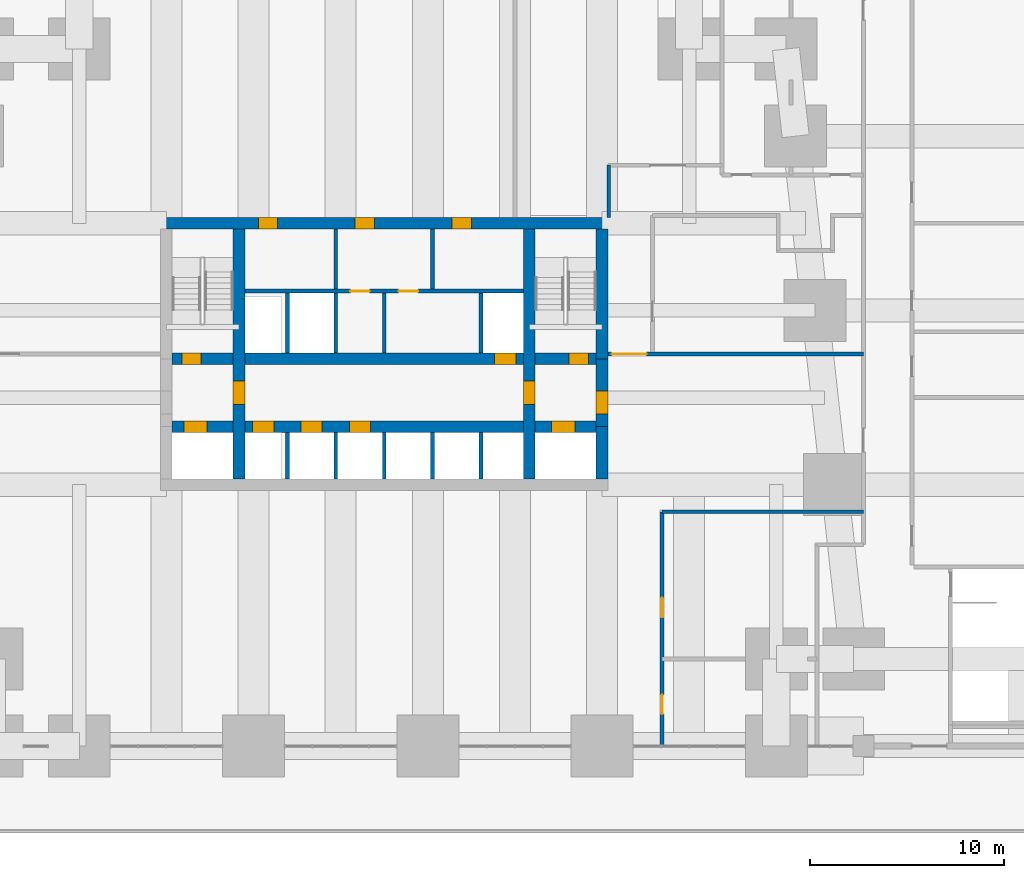
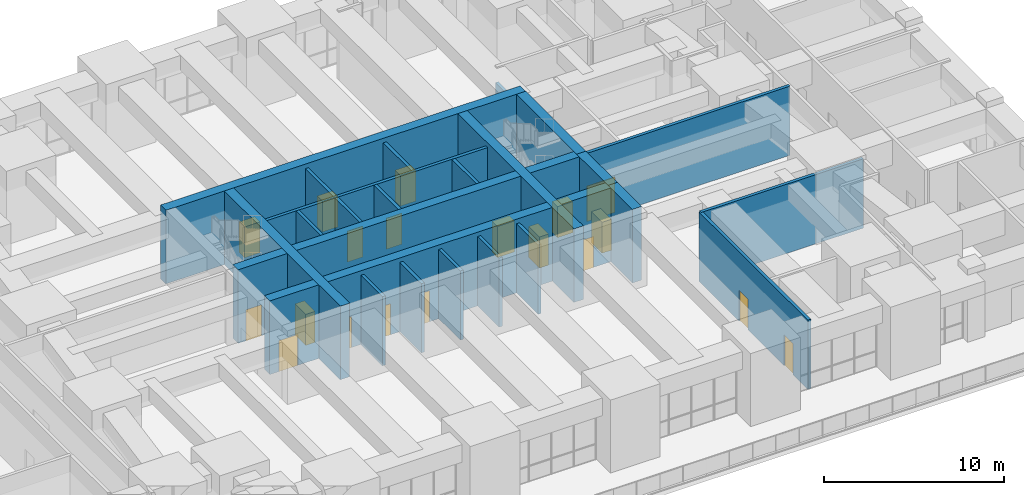
# One storey, part 18 of 22: 24 walls, 19 doors, 19 openings.
"""IFC4 building model written with IfcOpenShell, lengths in metres."""

from ifc_helpers import new_model, si_unit, direction, frame, frame_2d, origin, place, context, subcontext, project, spatial, rectangle, extrude, material, layer, layer_set, type_object, element, fill, save


model = new_model("IFC4")

# Units and contexts
model_context = context("Model", 3, precision=1e-05, world=origin(), true_north=direction((0.0, 1.0)))
body_context = subcontext(model_context, "Body", "Model", "MODEL_VIEW")
ifc_project = project(units=[si_unit("LENGTHUNIT", "METRE"), si_unit("AREAUNIT", "SQUARE_METRE"), si_unit("VOLUMEUNIT", "CUBIC_METRE"), si_unit("PLANEANGLEUNIT", "RADIAN"), si_unit("MASSUNIT", "GRAM", prefix="KILO")], contexts=[model_context])

# Site, building, storey
site_placement = place(None, origin())
site = spatial("IfcSite", under=ifc_project, at=site_placement, CompositionType="ELEMENT")
building_placement = place(site_placement, origin())
building = spatial("IfcBuilding", under=site, at=building_placement, Name="Kilele Tower Hotel", CompositionType="ELEMENT")
storey_placement = place(building_placement, frame((0.0, 0.0, 19.0)))
storey = spatial("IfcBuildingStorey", under=building, at=storey_placement, Name="L03", CompositionType="ELEMENT", Elevation=19.0)

# Wall, openings, doors
ifc_material_1 = material(Name="Concrete C60/75", Category="concrete")
ifc_layer_1 = layer(ifc_material_1, 0.60009765625)
ifc_layer_set_1 = layer_set([ifc_layer_1], Name="Concrete C60/75")
wall_type_1 = type_object("IfcWallType", Name="Core wall 600 C60/75", PredefinedType="SHEAR", material=ifc_layer_set_1)
wall_1_placement = place(storey_placement, frame((36.300048828125, 27.0, 0.0), z_axis=(0.0, 0.0, 1.0), x_axis=(-1.0, 0.0, 0.0)))
wall_1 = element("IfcWall", 1, at=wall_1_placement, inside=storey, type_object=wall_type_1, Name="Core wall N L03", PredefinedType="SHEAR", context=body_context, shape_type="SweptSolid", body=[
    extrude(rectangle(XDim=23.10009765625, YDim=0.60009765625, at=frame_2d((11.550048828125, 0.0))), origin(), (0.0, 0.0, 1.0), 5.0),
])
opening_1_placement = place(wall_1_placement, frame((17.050048828125, 0.0, 0.0)))
opening_1 = element("IfcOpeningElement", 2, at=opening_1_placement, cuts=wall_1, Name="Opening D6", PredefinedType="OPENING", context=body_context, shape_type="SweptSolid", body=[
    extrude(rectangle(XDim=1.0, YDim=2.10009765625, at=frame_2d((0.5, 1.050048828125))), frame((0.0, 0.31005859375, 0.0), z_axis=(0.0, -1.0, 0.0), x_axis=(1.0, 0.0, 0.0)), (0.0, 0.0, 1.0), 0.6201171875),
])
opening_2_placement = place(wall_1_placement, frame((12.050048828125, 0.0, 0.0)))
opening_2 = element("IfcOpeningElement", 3, at=opening_2_placement, cuts=wall_1, Name="Opening D6", PredefinedType="OPENING", context=body_context, shape_type="SweptSolid", body=[
    extrude(rectangle(XDim=1.0, YDim=2.10009765625, at=frame_2d((0.5, 1.050048828125))), frame((0.0, 0.31005859375, 0.0), z_axis=(0.0, -1.0, 0.0), x_axis=(1.0, 0.0, 0.0)), (0.0, 0.0, 1.0), 0.6201171875),
])
opening_3_placement = place(wall_1_placement, frame((7.050048828125, 0.0, 0.0)))
opening_3 = element("IfcOpeningElement", 4, at=opening_3_placement, cuts=wall_1, Name="Opening D6", PredefinedType="OPENING", context=body_context, shape_type="SweptSolid", body=[
    extrude(rectangle(XDim=1.0, YDim=2.10009765625, at=frame_2d((0.5, 1.050048828125))), frame((0.0, 0.31005859375, 0.0), z_axis=(0.0, -1.0, 0.0), x_axis=(1.0, 0.0, 0.0)), (0.0, 0.0, 1.0), 0.6201171875),
])
ifc_material_2 = material(Name="Timber door leaf in hardwood frame", Category="wood")
door_type_1 = type_object("IfcDoorType", Name="Riser door 1000", OperationType="SINGLE_SWING_LEFT", PredefinedType="DOOR", material=ifc_material_2)
door_1_placement = place(opening_1_placement, origin())
door_1 = element("IfcDoor", 5, at=door_1_placement, inside=storey, type_object=door_type_1, Name="Service riser door L03", OperationType="SINGLE_SWING_RIGHT", OverallHeight=2.10009765625, OverallWidth=1.0, PredefinedType="DOOR", context=body_context, shape_type="SweptSolid", body=[
    extrude(rectangle(XDim=1.0, YDim=2.10009765625, at=frame_2d((0.5, 1.050048828125))), frame((0.0, 0.2998046875, 0.0), z_axis=(0.0, -1.0, 0.0), x_axis=(1.0, 0.0, 0.0)), (0.0, 0.0, 1.0), 0.599609375),
])
fill(opening_1, door_1)
door_2_placement = place(opening_2_placement, origin())
door_2 = element("IfcDoor", 6, at=door_2_placement, inside=storey, type_object=door_type_1, Name="Housekeeping store door L03", OperationType="SINGLE_SWING_RIGHT", OverallHeight=2.10009765625, OverallWidth=1.0, PredefinedType="DOOR", context=body_context, shape_type="SweptSolid", body=[
    extrude(rectangle(XDim=1.0, YDim=2.10009765625, at=frame_2d((0.5, 1.050048828125))), frame((0.0, 0.2998046875, 0.0), z_axis=(0.0, -1.0, 0.0), x_axis=(1.0, 0.0, 0.0)), (0.0, 0.0, 1.0), 0.599609375),
])
fill(opening_2, door_2)
door_3_placement = place(opening_3_placement, origin())
door_3 = element("IfcDoor", 7, at=door_3_placement, inside=storey, type_object=door_type_1, Name="Electrical riser door L03", OperationType="SINGLE_SWING_RIGHT", OverallHeight=2.10009765625, OverallWidth=1.0, PredefinedType="DOOR", context=body_context, shape_type="SweptSolid", body=[
    extrude(rectangle(XDim=1.0, YDim=2.10009765625, at=frame_2d((0.5, 1.050048828125))), frame((0.0, 0.2998046875, 0.0), z_axis=(0.0, -1.0, 0.0), x_axis=(1.0, 0.0, 0.0)), (0.0, 0.0, 1.0), 0.599609375),
])
fill(opening_3, door_3)

# Wall, opening, door
wall_2_placement = place(storey_placement, frame((17.25, 13.800048828125, 0.0), z_axis=(0.0, 0.0, 1.0), x_axis=(0.0, 1.0, 0.0)))
wall_2 = element("IfcWall", 8, at=wall_2_placement, inside=storey, type_object=wall_type_1, Name="Core wall IW L03", PredefinedType="SHEAR", context=body_context, shape_type="SweptSolid", body=[
    extrude(rectangle(XDim=12.89990234375, YDim=0.60009765625, at=frame_2d((6.449951171875, 0.0))), origin(), (0.0, 0.0, 1.0), 5.0),
])
opening_4_placement = place(wall_2_placement, frame((3.85009765625, 0.0, 0.0)))
opening_4 = element("IfcOpeningElement", 9, at=opening_4_placement, cuts=wall_2, Name="Opening D4", PredefinedType="OPENING", context=body_context, shape_type="SweptSolid", body=[
    extrude(rectangle(XDim=1.199951171875, YDim=2.10009765625, at=frame_2d((0.60009765625, 1.050048828125))), frame((0.0, 0.31005859375, 0.0), z_axis=(0.0, -1.0, 0.0), x_axis=(1.0, 0.0, 0.0)), (0.0, 0.0, 1.0), 0.6201171875),
])
ifc_material_3 = material(Name="Timber door leaf in hardwood frame", Category="wood")
door_type_2 = type_object("IfcDoorType", Name="Firefighting lobby door 1200", OperationType="SINGLE_SWING_LEFT", PredefinedType="DOOR", material=ifc_material_3)
door_4_placement = place(opening_4_placement, origin())
door_4 = element("IfcDoor", 10, at=door_4_placement, inside=storey, type_object=door_type_2, Name="Lobby door L03", OperationType="SINGLE_SWING_LEFT", OverallHeight=2.10009765625, OverallWidth=1.199951171875, PredefinedType="DOOR", context=body_context, shape_type="SweptSolid", body=[
    extrude(rectangle(XDim=1.199951171875, YDim=2.10009765625, at=frame_2d((0.60009765625, 1.050048828125))), frame((0.0, 0.2998046875, 0.0), z_axis=(0.0, -1.0, 0.0), x_axis=(1.0, 0.0, 0.0)), (0.0, 0.0, 1.0), 0.599609375),
])
fill(opening_4, door_4)

wall_3_placement = place(storey_placement, frame((32.25, 13.800048828125, 0.0), z_axis=(0.0, 0.0, 1.0), x_axis=(0.0, 1.0, 0.0)))
wall_3 = element("IfcWall", 11, at=wall_3_placement, inside=storey, type_object=wall_type_1, Name="Core wall IE L03", PredefinedType="SHEAR", context=body_context, shape_type="SweptSolid", body=[
    extrude(rectangle(XDim=12.89990234375, YDim=0.60009765625, at=frame_2d((6.449951171875, 0.0))), origin(), (0.0, 0.0, 1.0), 5.0),
])
opening_5_placement = place(wall_3_placement, frame((5.050048828125, 0.0, 0.0), z_axis=(0.0, 0.0, 1.0), x_axis=(-1.0, 0.0, 0.0)))
opening_5 = element("IfcOpeningElement", 12, at=opening_5_placement, cuts=wall_3, Name="Opening D4", PredefinedType="OPENING", context=body_context, shape_type="SweptSolid", body=[
    extrude(rectangle(XDim=1.199951171875, YDim=2.10009765625, at=frame_2d((0.60009765625, 1.050048828125))), frame((0.0, 0.31005859375, 0.0), z_axis=(0.0, -1.0, 0.0), x_axis=(1.0, 0.0, 0.0)), (0.0, 0.0, 1.0), 0.6201171875),
])
door_5_placement = place(opening_5_placement, origin())
door_5 = element("IfcDoor", 13, at=door_5_placement, inside=storey, type_object=door_type_2, Name="Lobby door L03", OperationType="SINGLE_SWING_RIGHT", OverallHeight=2.10009765625, OverallWidth=1.199951171875, PredefinedType="DOOR", context=body_context, shape_type="SweptSolid", body=[
    extrude(rectangle(XDim=1.199951171875, YDim=2.10009765625, at=frame_2d((0.60009765625, 1.050048828125))), frame((0.0, 0.2998046875, 0.0), z_axis=(0.0, -1.0, 0.0), x_axis=(1.0, 0.0, 0.0)), (0.0, 0.0, 1.0), 0.599609375),
])
fill(opening_5, door_5)

# Wall, openings, doors
wall_4_placement = place(storey_placement, frame((13.800048828125, 16.5, 0.0), z_axis=(0.0, 0.0, 1.0), x_axis=(1.0, 0.0, 0.0)))
wall_4 = element("IfcWall", 14, at=wall_4_placement, inside=storey, type_object=wall_type_1, Name="Core wall LS L03", PredefinedType="SHEAR", context=body_context, shape_type="SweptSolid", body=[
    extrude(rectangle(XDim=21.89990234375, YDim=0.60009765625, at=frame_2d((10.949951171875, 0.0))), origin(), (0.0, 0.0, 1.0), 5.0),
])
opening_6_placement = place(wall_4_placement, frame((4.14990234375, 0.0, 0.0)))
opening_6 = element("IfcOpeningElement", 15, at=opening_6_placement, cuts=wall_4, Name="Opening LD1", PredefinedType="OPENING", context=body_context, shape_type="SweptSolid", body=[
    extrude(rectangle(XDim=1.10009765625, YDim=2.10009765625, at=frame_2d((0.550048828125, 1.050048828125))), frame((0.0, 0.31005859375, 0.0), z_axis=(0.0, -1.0, 0.0), x_axis=(1.0, 0.0, 0.0)), (0.0, 0.0, 1.0), 0.6201171875),
])
opening_7_placement = place(wall_4_placement, frame((6.64990234375, 0.0, 0.0)))
opening_7 = element("IfcOpeningElement", 16, at=opening_7_placement, cuts=wall_4, Name="Opening LD1", PredefinedType="OPENING", context=body_context, shape_type="SweptSolid", body=[
    extrude(rectangle(XDim=1.10009765625, YDim=2.10009765625, at=frame_2d((0.550048828125, 1.050048828125))), frame((0.0, 0.31005859375, 0.0), z_axis=(0.0, -1.0, 0.0), x_axis=(1.0, 0.0, 0.0)), (0.0, 0.0, 1.0), 0.6201171875),
])
opening_8_placement = place(wall_4_placement, frame((9.14990234375, 0.0, 0.0)))
opening_8 = element("IfcOpeningElement", 17, at=opening_8_placement, cuts=wall_4, Name="Opening LD1", PredefinedType="OPENING", context=body_context, shape_type="SweptSolid", body=[
    extrude(rectangle(XDim=1.10009765625, YDim=2.10009765625, at=frame_2d((0.550048828125, 1.050048828125))), frame((0.0, 0.31005859375, 0.0), z_axis=(0.0, -1.0, 0.0), x_axis=(1.0, 0.0, 0.0)), (0.0, 0.0, 1.0), 0.6201171875),
])
opening_9_placement = place(wall_4_placement, frame((0.60009765625, 0.0, 0.0)))
opening_9 = element("IfcOpeningElement", 18, at=opening_9_placement, cuts=wall_4, Name="Opening LD2", PredefinedType="OPENING", context=body_context, shape_type="SweptSolid", body=[
    extrude(rectangle(XDim=1.199951171875, YDim=2.10009765625, at=frame_2d((0.60009765625, 1.050048828125))), frame((0.0, 0.31005859375, 0.0), z_axis=(0.0, -1.0, 0.0), x_axis=(1.0, 0.0, 0.0)), (0.0, 0.0, 1.0), 0.6201171875),
])
opening_10_placement = place(wall_4_placement, frame((19.60009765625, 0.0, 0.0)))
opening_10 = element("IfcOpeningElement", 19, at=opening_10_placement, cuts=wall_4, Name="Opening LD2", PredefinedType="OPENING", context=body_context, shape_type="SweptSolid", body=[
    extrude(rectangle(XDim=1.199951171875, YDim=2.10009765625, at=frame_2d((0.60009765625, 1.050048828125))), frame((0.0, 0.31005859375, 0.0), z_axis=(0.0, -1.0, 0.0), x_axis=(1.0, 0.0, 0.0)), (0.0, 0.0, 1.0), 0.6201171875),
])
ifc_material_4 = material(Name="Steel lift landing door", Category="steel")
door_type_3 = type_object("IfcDoorType", Name="Firefighting lift landing door 1200", OperationType="SLIDING_TO_LEFT", PredefinedType="DOOR", material=ifc_material_4)
door_6_placement = place(opening_9_placement, origin())
door_6 = element("IfcDoor", 20, at=door_6_placement, inside=storey, type_object=door_type_3, Name="Landing door FFW L03", OperationType="SLIDING_TO_LEFT", OverallHeight=2.10009765625, OverallWidth=1.199951171875, PredefinedType="DOOR", context=body_context, shape_type="SweptSolid", body=[
    extrude(rectangle(XDim=1.199951171875, YDim=2.10009765625, at=frame_2d((0.60009765625, 1.050048828125))), frame((0.0, 0.2998046875, 0.0), z_axis=(0.0, -1.0, 0.0), x_axis=(1.0, 0.0, 0.0)), (0.0, 0.0, 1.0), 0.599609375),
])
fill(opening_9, door_6)
door_7_placement = place(opening_10_placement, origin())
door_7 = element("IfcDoor", 21, at=door_7_placement, inside=storey, type_object=door_type_3, Name="Landing door FFE L03", OperationType="SLIDING_TO_LEFT", OverallHeight=2.10009765625, OverallWidth=1.199951171875, PredefinedType="DOOR", context=body_context, shape_type="SweptSolid", body=[
    extrude(rectangle(XDim=1.199951171875, YDim=2.10009765625, at=frame_2d((0.60009765625, 1.050048828125))), frame((0.0, 0.2998046875, 0.0), z_axis=(0.0, -1.0, 0.0), x_axis=(1.0, 0.0, 0.0)), (0.0, 0.0, 1.0), 0.599609375),
])
fill(opening_10, door_7)
ifc_material_5 = material(Name="Steel lift landing door", Category="steel")
door_type_4 = type_object("IfcDoorType", Name="Lift landing door 1100", OperationType="SLIDING_TO_LEFT", PredefinedType="DOOR", material=ifc_material_5)
door_8_placement = place(opening_6_placement, origin())
door_8 = element("IfcDoor", 22, at=door_8_placement, inside=storey, type_object=door_type_4, Name="Landing door L1 L03", OperationType="SLIDING_TO_LEFT", OverallHeight=2.10009765625, OverallWidth=1.10009765625, PredefinedType="DOOR", context=body_context, shape_type="SweptSolid", body=[
    extrude(rectangle(XDim=1.10009765625, YDim=2.10009765625, at=frame_2d((0.550048828125, 1.050048828125))), frame((0.0, 0.2998046875, 0.0), z_axis=(0.0, -1.0, 0.0), x_axis=(1.0, 0.0, 0.0)), (0.0, 0.0, 1.0), 0.599609375),
])
fill(opening_6, door_8)
door_9_placement = place(opening_7_placement, origin())
door_9 = element("IfcDoor", 23, at=door_9_placement, inside=storey, type_object=door_type_4, Name="Landing door L2 L03", OperationType="SLIDING_TO_LEFT", OverallHeight=2.10009765625, OverallWidth=1.10009765625, PredefinedType="DOOR", context=body_context, shape_type="SweptSolid", body=[
    extrude(rectangle(XDim=1.10009765625, YDim=2.10009765625, at=frame_2d((0.550048828125, 1.050048828125))), frame((0.0, 0.2998046875, 0.0), z_axis=(0.0, -1.0, 0.0), x_axis=(1.0, 0.0, 0.0)), (0.0, 0.0, 1.0), 0.599609375),
])
fill(opening_7, door_9)
door_10_placement = place(opening_8_placement, origin())
door_10 = element("IfcDoor", 24, at=door_10_placement, inside=storey, type_object=door_type_4, Name="Landing door L3 L03", OperationType="SLIDING_TO_LEFT", OverallHeight=2.10009765625, OverallWidth=1.10009765625, PredefinedType="DOOR", context=body_context, shape_type="SweptSolid", body=[
    extrude(rectangle(XDim=1.10009765625, YDim=2.10009765625, at=frame_2d((0.550048828125, 1.050048828125))), frame((0.0, 0.2998046875, 0.0), z_axis=(0.0, -1.0, 0.0), x_axis=(1.0, 0.0, 0.0)), (0.0, 0.0, 1.0), 0.599609375),
])
fill(opening_8, door_10)

wall_5_placement = place(storey_placement, frame((13.800048828125, 20.0, 0.0), z_axis=(0.0, 0.0, 1.0), x_axis=(1.0, 0.0, 0.0)))
wall_5 = element("IfcWall", 25, at=wall_5_placement, inside=storey, type_object=wall_type_1, Name="Core wall LN L03", PredefinedType="SHEAR", context=body_context, shape_type="SweptSolid", body=[
    extrude(rectangle(XDim=21.89990234375, YDim=0.60009765625, at=frame_2d((10.949951171875, 0.0))), origin(), (0.0, 0.0, 1.0), 5.0),
])
opening_11_placement = place(wall_5_placement, frame((0.5, 0.0, 0.0)))
opening_11 = element("IfcOpeningElement", 26, at=opening_11_placement, cuts=wall_5, Name="Opening D5", PredefinedType="OPENING", context=body_context, shape_type="SweptSolid", body=[
    extrude(rectangle(XDim=1.0, YDim=2.10009765625, at=frame_2d((0.5, 1.050048828125))), frame((0.0, 0.31005859375, 0.0), z_axis=(0.0, -1.0, 0.0), x_axis=(1.0, 0.0, 0.0)), (0.0, 0.0, 1.0), 0.6201171875),
])
opening_12_placement = place(wall_5_placement, frame((20.5, 0.0, 0.0)))
opening_12 = element("IfcOpeningElement", 27, at=opening_12_placement, cuts=wall_5, Name="Opening D5", PredefinedType="OPENING", context=body_context, shape_type="SweptSolid", body=[
    extrude(rectangle(XDim=1.0, YDim=2.10009765625, at=frame_2d((0.5, 1.050048828125))), frame((0.0, 0.31005859375, 0.0), z_axis=(0.0, -1.0, 0.0), x_axis=(1.0, 0.0, 0.0)), (0.0, 0.0, 1.0), 0.6201171875),
])
opening_13_placement = place(wall_5_placement, frame((16.64990234375, 0.0, 0.0)))
opening_13 = element("IfcOpeningElement", 28, at=opening_13_placement, cuts=wall_5, Name="Opening LD1", PredefinedType="OPENING", context=body_context, shape_type="SweptSolid", body=[
    extrude(rectangle(XDim=1.10009765625, YDim=2.10009765625, at=frame_2d((0.550048828125, 1.050048828125))), frame((0.0, 0.31005859375, 0.0), z_axis=(0.0, -1.0, 0.0), x_axis=(1.0, 0.0, 0.0)), (0.0, 0.0, 1.0), 0.6201171875),
])
door_11_placement = place(opening_13_placement, origin())
door_11 = element("IfcDoor", 29, at=door_11_placement, inside=storey, type_object=door_type_4, Name="Landing door G1 L03", OperationType="SLIDING_TO_LEFT", OverallHeight=2.10009765625, OverallWidth=1.10009765625, PredefinedType="DOOR", context=body_context, shape_type="SweptSolid", body=[
    extrude(rectangle(XDim=1.10009765625, YDim=2.10009765625, at=frame_2d((0.550048828125, 1.050048828125))), frame((0.0, 0.2998046875, 0.0), z_axis=(0.0, -1.0, 0.0), x_axis=(1.0, 0.0, 0.0)), (0.0, 0.0, 1.0), 0.599609375),
])
fill(opening_13, door_11)
ifc_material_6 = material(Name="Timber door leaf in hardwood frame", Category="wood")
door_type_5 = type_object("IfcDoorType", Name="Stair door 1000", OperationType="SINGLE_SWING_LEFT", PredefinedType="DOOR", material=ifc_material_6)
door_12_placement = place(opening_11_placement, origin())
door_12 = element("IfcDoor", 30, at=door_12_placement, inside=storey, type_object=door_type_5, Name="Stair 1 door L03", OperationType="SINGLE_SWING_LEFT", OverallHeight=2.10009765625, OverallWidth=1.0, PredefinedType="DOOR", context=body_context, shape_type="SweptSolid", body=[
    extrude(rectangle(XDim=1.0, YDim=2.10009765625, at=frame_2d((0.5, 1.050048828125))), frame((0.0, 0.2998046875, 0.0), z_axis=(0.0, -1.0, 0.0), x_axis=(1.0, 0.0, 0.0)), (0.0, 0.0, 1.0), 0.599609375),
])
fill(opening_11, door_12)
door_13_placement = place(opening_12_placement, origin())
door_13 = element("IfcDoor", 31, at=door_13_placement, inside=storey, type_object=door_type_5, Name="Stair 2 door L03", OperationType="SINGLE_SWING_RIGHT", OverallHeight=2.10009765625, OverallWidth=1.0, PredefinedType="DOOR", context=body_context, shape_type="SweptSolid", body=[
    extrude(rectangle(XDim=1.0, YDim=2.10009765625, at=frame_2d((0.5, 1.050048828125))), frame((0.0, 0.2998046875, 0.0), z_axis=(0.0, -1.0, 0.0), x_axis=(1.0, 0.0, 0.0)), (0.0, 0.0, 1.0), 0.599609375),
])
fill(opening_12, door_13)

# Wall
wall_6_placement = place(storey_placement, frame((36.0, 13.800048828125, 0.0), z_axis=(0.0, 0.0, 1.0), x_axis=(0.0, 1.0, 0.0)))
element("IfcWall", 32, at=wall_6_placement, inside=storey, type_object=wall_type_1, Name="Core wall E1 L03", PredefinedType="SHEAR", context=body_context, shape_type="SweptSolid", body=[
    extrude(rectangle(XDim=2.699951171875, YDim=0.60009765625, at=frame_2d((1.35009765625, 0.0))), origin(), (0.0, 0.0, 1.0), 5.0),
])

# Wall, opening, door
wall_7_placement = place(storey_placement, frame((36.0, 16.5, 0.0), z_axis=(0.0, 0.0, 1.0), x_axis=(0.0, 1.0, 0.0)))
wall_7 = element("IfcWall", 33, at=wall_7_placement, inside=storey, type_object=wall_type_1, Name="Core wall E2 L03", PredefinedType="SHEAR", context=body_context, shape_type="SweptSolid", body=[
    extrude(rectangle(XDim=3.5, YDim=0.60009765625, at=frame_2d((1.75, 0.0))), origin(), (0.0, 0.0, 1.0), 5.0),
])
opening_14_placement = place(wall_7_placement, frame((0.64990234375, 0.0, 0.0)))
opening_14 = element("IfcOpeningElement", 34, at=opening_14_placement, cuts=wall_7, Name="Opening D4", PredefinedType="OPENING", context=body_context, shape_type="SweptSolid", body=[
    extrude(rectangle(XDim=1.199951171875, YDim=2.10009765625, at=frame_2d((0.60009765625, 1.050048828125))), frame((0.0, 0.31005859375, 0.0), z_axis=(0.0, -1.0, 0.0), x_axis=(1.0, 0.0, 0.0)), (0.0, 0.0, 1.0), 0.6201171875),
])
door_14_placement = place(opening_14_placement, origin())
door_14 = element("IfcDoor", 35, at=door_14_placement, inside=storey, type_object=door_type_2, Name="Lobby door L03", OperationType="SINGLE_SWING_LEFT", OverallHeight=2.10009765625, OverallWidth=1.199951171875, PredefinedType="DOOR", context=body_context, shape_type="SweptSolid", body=[
    extrude(rectangle(XDim=1.199951171875, YDim=2.10009765625, at=frame_2d((0.60009765625, 1.050048828125))), frame((0.0, 0.2998046875, 0.0), z_axis=(0.0, -1.0, 0.0), x_axis=(1.0, 0.0, 0.0)), (0.0, 0.0, 1.0), 0.599609375),
])
fill(opening_14, door_14)

# Wall
wall_8_placement = place(storey_placement, frame((36.0, 20.0, 0.0), z_axis=(0.0, 0.0, 1.0), x_axis=(0.0, 1.0, 0.0)))
element("IfcWall", 36, at=wall_8_placement, inside=storey, type_object=wall_type_1, Name="Core wall E3 L03", PredefinedType="SHEAR", context=body_context, shape_type="SweptSolid", body=[
    extrude(rectangle(XDim=6.699951171875, YDim=0.60009765625, at=frame_2d((3.35009765625, 0.0))), origin(), (0.0, 0.0, 1.0), 5.0),
])

# Wall, openings, doors
ifc_material_7 = material(Name="Blockwork, plastered both sides", Category="masonry")
ifc_layer_2 = layer(ifc_material_7, 0.199951171875)
ifc_layer_set_2 = layer_set([ifc_layer_2], Name="Blockwork, plastered both sides")
wall_type_2 = type_object("IfcWallType", Name="Partition wall 200", PredefinedType="PARTITIONING", material=ifc_layer_set_2)
wall_9_placement = place(storey_placement, frame((39.10009765625, 0.0, 0.0), z_axis=(0.0, 0.0, 1.0), x_axis=(0.0, 1.0, 0.0)))
wall_9 = element("IfcWall", 37, at=wall_9_placement, inside=storey, type_object=wall_type_2, Name="Partition wall 200 L03", PredefinedType="PARTITIONING", context=body_context, shape_type="SweptSolid", body=[
    extrude(rectangle(XDim=12.10009765625, YDim=0.199951171875, at=frame_2d((6.050048828125, 0.0))), origin(), (0.0, 0.0, 1.0), 4.699951171875),
])
opening_15_placement = place(wall_9_placement, frame((7.64990234375, 0.0, 0.0), z_axis=(0.0, 0.0, 1.0), x_axis=(-1.0, 0.0, 0.0)))
opening_15 = element("IfcOpeningElement", 38, at=opening_15_placement, cuts=wall_9, Name="Opening D8", PredefinedType="OPENING", context=body_context, shape_type="SweptSolid", body=[
    extrude(rectangle(XDim=1.0, YDim=2.10009765625, at=frame_2d((0.5, 1.050048828125))), frame((0.0, 0.10986328125, 0.0), z_axis=(0.0, -1.0, 0.0), x_axis=(1.0, 0.0, 0.0)), (0.0, 0.0, 1.0), 0.219970703125),
])
opening_16_placement = place(wall_9_placement, frame((2.64990234375, 0.0, 0.0), z_axis=(0.0, 0.0, 1.0), x_axis=(-1.0, 0.0, 0.0)))
opening_16 = element("IfcOpeningElement", 39, at=opening_16_placement, cuts=wall_9, Name="Opening D8", PredefinedType="OPENING", context=body_context, shape_type="SweptSolid", body=[
    extrude(rectangle(XDim=1.0, YDim=2.10009765625, at=frame_2d((0.5, 1.050048828125))), frame((0.0, 0.10986328125, 0.0), z_axis=(0.0, -1.0, 0.0), x_axis=(1.0, 0.0, 0.0)), (0.0, 0.0, 1.0), 0.219970703125),
])
ifc_material_8 = material(Name="Timber door leaf in hardwood frame", Category="wood")
door_type_6 = type_object("IfcDoorType", Name="Door 1000", OperationType="SINGLE_SWING_LEFT", PredefinedType="DOOR", material=ifc_material_8)
door_15_placement = place(opening_15_placement, origin())
door_15 = element("IfcDoor", 40, at=door_15_placement, inside=storey, type_object=door_type_6, Name="Door event planning office", OperationType="SINGLE_SWING_LEFT", OverallHeight=2.10009765625, OverallWidth=1.0, PredefinedType="DOOR", context=body_context, shape_type="SweptSolid", body=[
    extrude(rectangle(XDim=1.0, YDim=2.10009765625, at=frame_2d((0.5, 1.050048828125))), frame((0.0, 0.02490234375, 0.0), z_axis=(0.0, -1.0, 0.0), x_axis=(1.0, 0.0, 0.0)), (0.0, 0.0, 1.0), 0.050048828125),
])
fill(opening_15, door_15)
door_16_placement = place(opening_16_placement, origin())
door_16 = element("IfcDoor", 41, at=door_16_placement, inside=storey, type_object=door_type_6, Name="Door event planning store", OperationType="SINGLE_SWING_RIGHT", OverallHeight=2.10009765625, OverallWidth=1.0, PredefinedType="DOOR", context=body_context, shape_type="SweptSolid", body=[
    extrude(rectangle(XDim=1.0, YDim=2.10009765625, at=frame_2d((0.5, 1.050048828125))), frame((0.0, 0.02490234375, 0.0), z_axis=(0.0, -1.0, 0.0), x_axis=(1.0, 0.0, 0.0)), (0.0, 0.0, 1.0), 0.050048828125),
])
fill(opening_16, door_16)

# Wall
wall_10_placement = place(storey_placement, frame((39.10009765625, 12.10009765625, 0.0), z_axis=(0.0, 0.0, 1.0), x_axis=(1.0, 0.0, 0.0)))
element("IfcWall", 42, at=wall_10_placement, inside=storey, type_object=wall_type_2, Name="Partition wall 200 L03", PredefinedType="PARTITIONING", context=body_context, shape_type="SweptSolid", body=[
    extrude(rectangle(XDim=10.39990234375, YDim=0.199951171875, at=frame_2d((5.199951171875, 0.0))), origin(), (0.0, 0.0, 1.0), 4.699951171875),
])

# Wall, opening, door
wall_11_placement = place(storey_placement, frame((36.300048828125, 20.25, 0.0), z_axis=(0.0, 0.0, 1.0), x_axis=(1.0, 0.0, 0.0)))
wall_11 = element("IfcWall", 43, at=wall_11_placement, inside=storey, type_object=wall_type_2, Name="Partition wall 200 L03", PredefinedType="PARTITIONING", context=body_context, shape_type="SweptSolid", body=[
    extrude(rectangle(XDim=13.199951171875, YDim=0.199951171875, at=frame_2d((6.60009765625, 0.0))), origin(), (0.0, 0.0, 1.0), 4.699951171875),
])
opening_17_placement = place(wall_11_placement, frame((2.0, 0.0, 0.0), z_axis=(0.0, 0.0, 1.0), x_axis=(-1.0, 0.0, 0.0)))
opening_17 = element("IfcOpeningElement", 44, at=opening_17_placement, cuts=wall_11, Name="Opening D9", PredefinedType="OPENING", context=body_context, shape_type="SweptSolid", body=[
    extrude(rectangle(XDim=1.800048828125, YDim=2.39990234375, at=frame_2d((0.89990234375, 1.199951171875))), frame((0.0, 0.10986328125, 0.0), z_axis=(0.0, -1.0, 0.0), x_axis=(1.0, 0.0, 0.0)), (0.0, 0.0, 1.0), 0.219970703125),
])
ifc_material_9 = material(Name="Timber door leaf in hardwood frame", Category="wood")
door_type_7 = type_object("IfcDoorType", Name="Double door 1800", OperationType="DOUBLE_DOOR_SINGLE_SWING", PredefinedType="DOOR", material=ifc_material_9)
door_17_placement = place(opening_17_placement, origin())
door_17 = element("IfcDoor", 45, at=door_17_placement, inside=storey, type_object=door_type_7, Name="Door business corridor", OperationType="DOUBLE_DOOR_SINGLE_SWING", OverallHeight=2.39990234375, OverallWidth=1.800048828125, PredefinedType="DOOR", context=body_context, shape_type="SweptSolid", body=[
    extrude(rectangle(XDim=1.800048828125, YDim=2.39990234375, at=frame_2d((0.89990234375, 1.199951171875))), frame((0.0, 0.02490234375, 0.0), z_axis=(0.0, -1.0, 0.0), x_axis=(1.0, 0.0, 0.0)), (0.0, 0.0, 1.0), 0.050048828125),
])
fill(opening_17, door_17)

# Walls
wall_12_placement = place(storey_placement, frame((36.35009765625, 27.300048828125, 0.0), z_axis=(0.0, 0.0, 1.0), x_axis=(0.0, 1.0, 0.0)))
element("IfcWall", 46, at=wall_12_placement, inside=storey, type_object=wall_type_2, Name="Partition wall 200 L03", PredefinedType="PARTITIONING", context=body_context, shape_type="SweptSolid", body=[
    extrude(rectangle(XDim=2.699951171875, YDim=0.199951171875, at=frame_2d((1.35009765625, 0.0))), origin(), (0.0, 0.0, 1.0), 3.60009765625),
])
ifc_material_10 = material(Name="Blockwork, fire-rated", Category="masonry")
ifc_layer_3 = layer(ifc_material_10, 0.199951171875)
ifc_layer_set_3 = layer_set([ifc_layer_3], Name="Blockwork, fire-rated")
wall_type_3 = type_object("IfcWallType", Name="Shaft wall 200", PredefinedType="PARTITIONING", material=ifc_layer_set_3)
wall_13_placement = place(storey_placement, frame((19.75, 13.800048828125, 0.0), z_axis=(0.0, 0.0, 1.0), x_axis=(0.0, 1.0, 0.0)))
element("IfcWall", 47, at=wall_13_placement, inside=storey, type_object=wall_type_3, Name="Shaft wall 200 L03", PredefinedType="PARTITIONING", context=body_context, shape_type="SweptSolid", body=[
    extrude(rectangle(XDim=2.39990234375, YDim=0.199951171875, at=frame_2d((1.199951171875, 0.0))), origin(), (0.0, 0.0, 1.0), 4.699951171875),
])
wall_14_placement = place(storey_placement, frame((19.75, 20.300048828125, 0.0), z_axis=(0.0, 0.0, 1.0), x_axis=(0.0, 1.0, 0.0)))
element("IfcWall", 48, at=wall_14_placement, inside=storey, type_object=wall_type_3, Name="Shaft wall 200 L03", PredefinedType="PARTITIONING", context=body_context, shape_type="SweptSolid", body=[
    extrude(rectangle(XDim=3.099853515625, YDim=0.199951171875, at=frame_2d((1.5498046875, 0.0))), origin(), (0.0, 0.0, 1.0), 4.699951171875),
])
wall_15_placement = place(storey_placement, frame((22.25, 13.800048828125, 0.0), z_axis=(0.0, 0.0, 1.0), x_axis=(0.0, 1.0, 0.0)))
element("IfcWall", 49, at=wall_15_placement, inside=storey, type_object=wall_type_3, Name="Shaft wall 200 L03", PredefinedType="PARTITIONING", context=body_context, shape_type="SweptSolid", body=[
    extrude(rectangle(XDim=2.39990234375, YDim=0.199951171875, at=frame_2d((1.199951171875, 0.0))), origin(), (0.0, 0.0, 1.0), 4.699951171875),
])
wall_16_placement = place(storey_placement, frame((22.25, 20.300048828125, 0.0), z_axis=(0.0, 0.0, 1.0), x_axis=(0.0, 1.0, 0.0)))
element("IfcWall", 50, at=wall_16_placement, inside=storey, type_object=wall_type_3, Name="Shaft wall 200 L03", PredefinedType="PARTITIONING", context=body_context, shape_type="SweptSolid", body=[
    extrude(rectangle(XDim=3.099853515625, YDim=0.199951171875, at=frame_2d((1.5498046875, 0.0))), origin(), (0.0, 0.0, 1.0), 4.699951171875),
])
wall_17_placement = place(storey_placement, frame((24.75, 13.800048828125, 0.0), z_axis=(0.0, 0.0, 1.0), x_axis=(0.0, 1.0, 0.0)))
element("IfcWall", 51, at=wall_17_placement, inside=storey, type_object=wall_type_3, Name="Shaft wall 200 L03", PredefinedType="PARTITIONING", context=body_context, shape_type="SweptSolid", body=[
    extrude(rectangle(XDim=2.39990234375, YDim=0.199951171875, at=frame_2d((1.199951171875, 0.0))), origin(), (0.0, 0.0, 1.0), 4.699951171875),
])
wall_18_placement = place(storey_placement, frame((24.75, 20.300048828125, 0.0), z_axis=(0.0, 0.0, 1.0), x_axis=(0.0, 1.0, 0.0)))
element("IfcWall", 52, at=wall_18_placement, inside=storey, type_object=wall_type_3, Name="Shaft wall 200 L03", PredefinedType="PARTITIONING", context=body_context, shape_type="SweptSolid", body=[
    extrude(rectangle(XDim=3.099853515625, YDim=0.199951171875, at=frame_2d((1.5498046875, 0.0))), origin(), (0.0, 0.0, 1.0), 4.699951171875),
])
for number, where, z_axis, x_axis, name in (
    (53, (27.25, 13.800048828125, 0.0), (0.0, 0.0, 1.0), (0.0, 1.0, 0.0), "Shaft wall 200 L03"),
    (54, (29.75, 13.800048828125, 0.0), (0.0, 0.0, 1.0), (0.0, 1.0, 0.0), "Shaft wall 200 L03"),
):
    element("IfcWall", number, at=place(storey_placement, frame(where, z_axis=z_axis, x_axis=x_axis)), inside=storey, type_object=wall_type_3, Name=name, PredefinedType="PARTITIONING", context=body_context, shape_type="SweptSolid", body=[
        extrude(rectangle(XDim=2.39990234375, YDim=0.199951171875, at=frame_2d((1.199951171875, 0.0))), origin(), (0.0, 0.0, 1.0), 4.699951171875),
    ])
wall_19_placement = place(storey_placement, frame((29.75, 20.300048828125, 0.0), z_axis=(0.0, 0.0, 1.0), x_axis=(0.0, 1.0, 0.0)))
element("IfcWall", 55, at=wall_19_placement, inside=storey, type_object=wall_type_3, Name="Shaft wall 200 L03", PredefinedType="PARTITIONING", context=body_context, shape_type="SweptSolid", body=[
    extrude(rectangle(XDim=3.099853515625, YDim=0.199951171875, at=frame_2d((1.5498046875, 0.0))), origin(), (0.0, 0.0, 1.0), 4.699951171875),
])

# Wall, openings, doors
wall_20_placement = place(storey_placement, frame((17.550048828125, 23.5, 0.0), z_axis=(0.0, 0.0, 1.0), x_axis=(1.0, 0.0, 0.0)))
wall_20 = element("IfcWall", 56, at=wall_20_placement, inside=storey, type_object=wall_type_3, Name="Shaft wall 200 L03", PredefinedType="PARTITIONING", context=body_context, shape_type="SweptSolid", body=[
    extrude(rectangle(XDim=14.39990234375, YDim=0.199951171875, at=frame_2d((7.199951171875, 0.0))), origin(), (0.0, 0.0, 1.0), 4.699951171875),
])
opening_18_placement = place(wall_20_placement, frame((6.449951171875, 0.0, 0.0), z_axis=(0.0, 0.0, 1.0), x_axis=(-1.0, 0.0, 0.0)))
opening_18 = element("IfcOpeningElement", 57, at=opening_18_placement, cuts=wall_20, Name="Opening D11", PredefinedType="OPENING", context=body_context, shape_type="SweptSolid", body=[
    extrude(rectangle(XDim=1.0, YDim=2.10009765625, at=frame_2d((0.5, 1.050048828125))), frame((0.0, 0.10986328125, 0.0), z_axis=(0.0, -1.0, 0.0), x_axis=(1.0, 0.0, 0.0)), (0.0, 0.0, 1.0), 0.219970703125),
])
opening_19_placement = place(wall_20_placement, frame((7.949951171875, 0.0, 0.0)))
opening_19 = element("IfcOpeningElement", 58, at=opening_19_placement, cuts=wall_20, Name="Opening D11", PredefinedType="OPENING", context=body_context, shape_type="SweptSolid", body=[
    extrude(rectangle(XDim=1.0, YDim=2.10009765625, at=frame_2d((0.5, 1.050048828125))), frame((0.0, 0.10986328125, 0.0), z_axis=(0.0, -1.0, 0.0), x_axis=(1.0, 0.0, 0.0)), (0.0, 0.0, 1.0), 0.219970703125),
])
ifc_material_11 = material(Name="Timber door leaf in hardwood frame", Category="wood")
door_type_8 = type_object("IfcDoorType", Name="Core store door 1000", OperationType="SINGLE_SWING_LEFT", PredefinedType="DOOR", material=ifc_material_11)
door_18_placement = place(opening_18_placement, origin())
door_18 = element("IfcDoor", 59, at=door_18_placement, inside=storey, type_object=door_type_8, Name="Core room door H1", OperationType="SINGLE_SWING_RIGHT", OverallHeight=2.10009765625, OverallWidth=1.0, PredefinedType="DOOR", context=body_context, shape_type="SweptSolid", body=[
    extrude(rectangle(XDim=1.0, YDim=2.10009765625, at=frame_2d((0.5, 1.050048828125))), frame((0.0, 0.02490234375, 0.0), z_axis=(0.0, -1.0, 0.0), x_axis=(1.0, 0.0, 0.0)), (0.0, 0.0, 1.0), 0.050048828125),
])
fill(opening_18, door_18)
door_19_placement = place(opening_19_placement, origin())
door_19 = element("IfcDoor", 60, at=door_19_placement, inside=storey, type_object=door_type_8, Name="Core room door H2", OperationType="SINGLE_SWING_RIGHT", OverallHeight=2.10009765625, OverallWidth=1.0, PredefinedType="DOOR", context=body_context, shape_type="SweptSolid", body=[
    extrude(rectangle(XDim=1.0, YDim=2.10009765625, at=frame_2d((0.5, 1.050048828125))), frame((0.0, 0.02490234375, 0.0), z_axis=(0.0, -1.0, 0.0), x_axis=(1.0, 0.0, 0.0)), (0.0, 0.0, 1.0), 0.050048828125),
])
fill(opening_19, door_19)

# Walls
for number, where, z_axis, x_axis, name in (
    (61, (22.25, 23.60009765625, 0.0), (0.0, 0.0, 1.0), (0.0, 1.0, 0.0), "Shaft wall 200 L03"),
    (62, (27.25, 23.60009765625, 0.0), (0.0, 0.0, 1.0), (0.0, 1.0, 0.0), "Shaft wall 200 L03"),
):
    element("IfcWall", number, at=place(storey_placement, frame(where, z_axis=z_axis, x_axis=x_axis)), inside=storey, type_object=wall_type_3, Name=name, PredefinedType="PARTITIONING", context=body_context, shape_type="SweptSolid", body=[
        extrude(rectangle(XDim=3.099853515625, YDim=0.199951171875, at=frame_2d((1.5498046875, 0.0))), origin(), (0.0, 0.0, 1.0), 4.699951171875),
    ])

save(model, "model.ifc")
